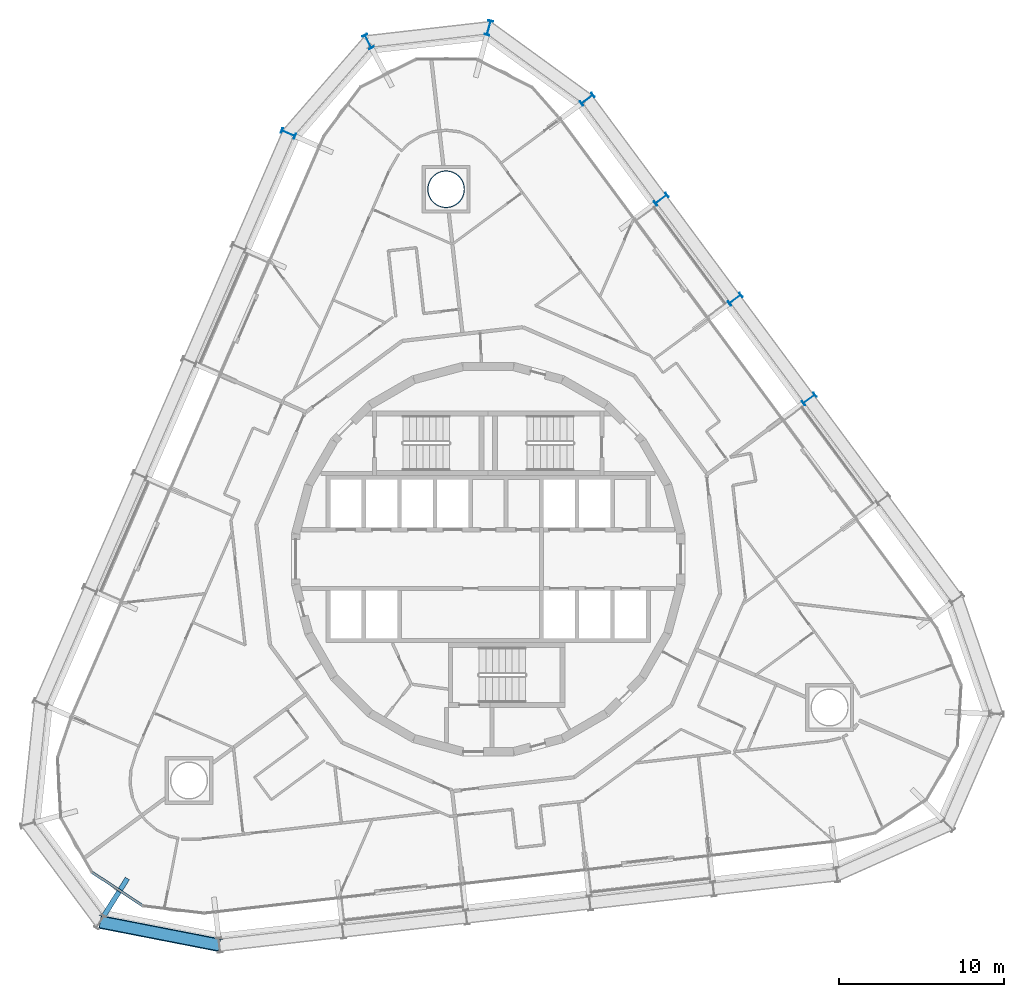
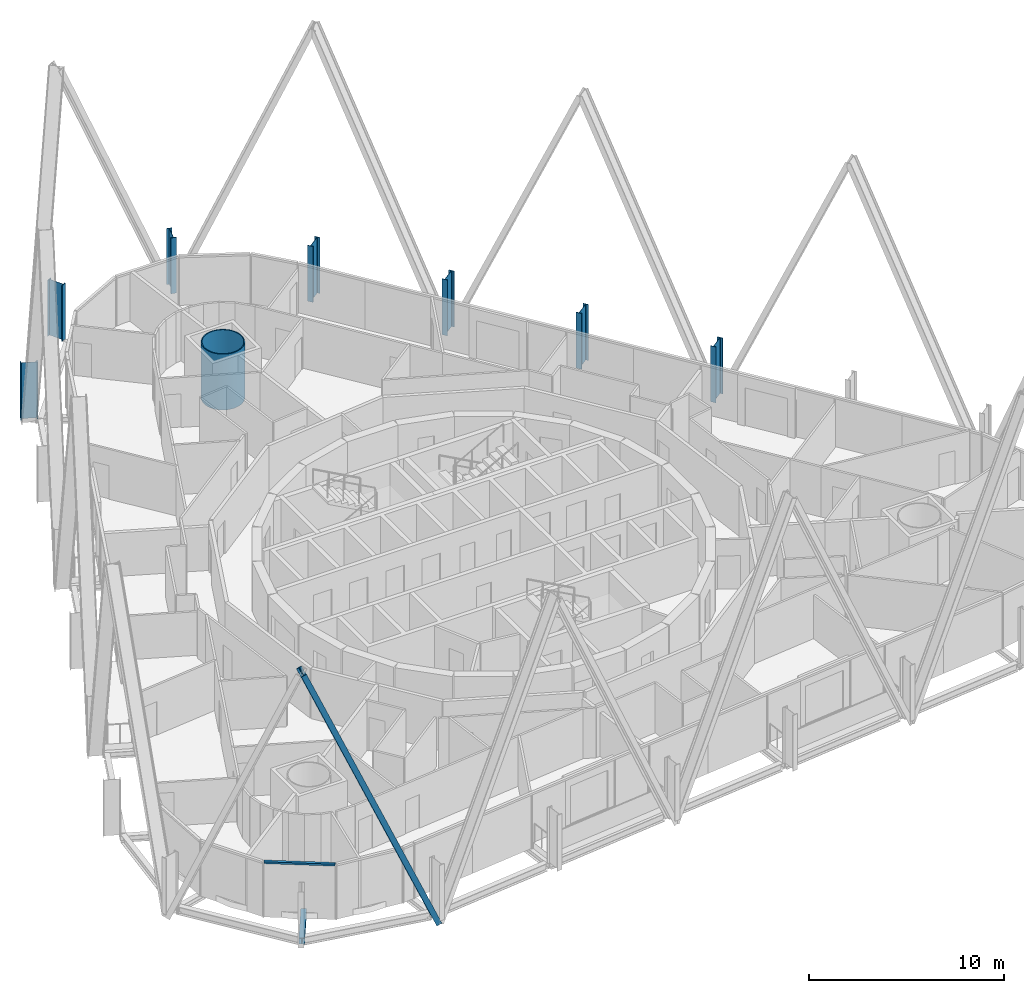
# One storey, part 2 of 23: 8 columns, 2 members, 1 beam, 1 element without a shape of its own.
"""IFC4 building model written with IfcOpenShell, lengths in metres."""

import ifcopenshell
import ifcopenshell.guid

model = None  # the IFC model being written
_history = None  # IfcOwnerHistory: only IFC2X3 demands one
_inside = {}  # id of a spatial element -> (the spatial element, [elements in it])
_under = {}  # id of a project, library or spatial element -> (it, [spatial elements below it])
_declared = {}  # id of a project -> (the project, [libraries it declares])
_typed = {}  # id of a type object -> (the type object, [elements of that type])
_made_of = {}  # id of a material, layer set ... -> (it, [elements and type objects made of it])


def new_model(schema):
    """Start an empty IFC model of exactly this schema.

    Asked for "IFC4X3", IfcOpenShell would pick the latest addendum, in which some entities
    have other attributes; the version numbers below select the first issue.
    IFC2X3 requires an IfcOwnerHistory on every rooted entity: one is made here for all.
    """
    global model, _history
    if schema == "IFC4X3":
        model = ifcopenshell.file(schema_version=(4, 3, 0, 0))
    else:
        model = ifcopenshell.file(schema=schema)
    _inside.clear()
    _under.clear()
    _declared.clear()
    _typed.clear()
    _made_of.clear()
    _history = None
    if model.schema == "IFC2X3":
        org = make("IfcOrganization", Name="unknown")
        user = make(
            "IfcPersonAndOrganization",
            ThePerson=make("IfcPerson", FamilyName="unknown"),
            TheOrganization=org,
        )
        app = make(
            "IfcApplication",
            ApplicationDeveloper=org,
            Version="unknown",
            ApplicationFullName="unknown",
            ApplicationIdentifier="unknown",
        )
        _history = make(
            "IfcOwnerHistory",
            OwningUser=user,
            OwningApplication=app,
            ChangeAction="ADDED",
            CreationDate=0,
        )
    return model


def make(cls, **values):
    """One entity of the class cls with the attributes given. An attribute that is None is left unset."""
    return model.create_entity(
        cls, **{name: value for name, value in values.items() if value is not None}
    )


def rooted(cls, **values):
    """An entity with a GlobalId (a new one), such as an element, a storey or a relation."""
    return make(cls, GlobalId=ifcopenshell.guid.new(), OwnerHistory=_history, **values)


def si_unit(unit_type, name, prefix=None):
    """IfcSIUnit, for example si_unit("LENGTHUNIT", "METRE", prefix="MILLI")."""
    return make("IfcSIUnit", UnitType=unit_type, Prefix=prefix, Name=name)


def assignment(units):
    """IfcUnitAssignment: the units of a project."""
    return None if units is None else make("IfcUnitAssignment", Units=units)


def point(xyz):
    """IfcCartesianPoint."""
    return None if xyz is None else make("IfcCartesianPoint", Coordinates=xyz)


def direction(xyz):
    """IfcDirection."""
    return None if xyz is None else make("IfcDirection", DirectionRatios=xyz)


def frame(location, z_axis=None, x_axis=None):
    """IfcAxis2Placement3D, a coordinate frame: its origin and axes. An axis left out is left unset."""
    return make(
        "IfcAxis2Placement3D",
        Location=point(location),
        Axis=direction(z_axis),
        RefDirection=direction(x_axis),
    )


def frame_2d(location, x_axis=None):
    """IfcAxis2Placement2D, a coordinate frame in the plane: its origin and x axis."""
    return make(
        "IfcAxis2Placement2D", Location=point(location), RefDirection=direction(x_axis)
    )


def origin():
    """The frame at (0, 0, 0) with its axes left unset."""
    return frame((0.0, 0.0, 0.0))


def origin_2d():
    """The frame at (0, 0) in the plane with its x axis left unset."""
    return frame_2d((0.0, 0.0))


def place(relative_to, where):
    """IfcLocalPlacement: puts the frame where relative to a parent placement (None: the world)."""
    return make(
        "IfcLocalPlacement", PlacementRelTo=relative_to, RelativePlacement=where
    )


def context(
    kind, dimensions, precision=None, world=None, true_north=None, identifier=None
):
    """IfcGeometricRepresentationContext, for example the 3D "Model" context."""
    return make(
        "IfcGeometricRepresentationContext",
        ContextIdentifier=identifier,
        ContextType=kind,
        CoordinateSpaceDimension=dimensions,
        Precision=precision,
        WorldCoordinateSystem=world,
        TrueNorth=true_north,
    )


def subcontext(parent, identifier, kind, view, scale=None):
    """IfcGeometricRepresentationSubContext, for example "Body" below "Model"."""
    return make(
        "IfcGeometricRepresentationSubContext",
        ContextIdentifier=identifier,
        ContextType=kind,
        ParentContext=parent,
        TargetScale=scale,
        TargetView=view,
    )


def project(units=None, contexts=None):
    """IfcProject with its units and contexts."""
    return rooted(
        "IfcProject",
        Name="project",
        RepresentationContexts=contexts,
        UnitsInContext=assignment(units),
    )


def spatial(cls, under=None, at=None, **own):
    """A site, building, storey or space (cls), placed at a placement, below another one or the project."""
    s = rooted(cls, ObjectPlacement=at, **own)
    if under is not None:
        _under.setdefault(under.id(), (under, []))[1].append(s)
    return s


def profile(cls, at=None, kind="AREA", **sizes):
    """A parametric profile (cls). Its sizes go by their IFC names, for example OverallWidth=200.0."""
    return make(cls, ProfileType=kind, Position=at, **sizes)


def rectangle(**sizes):
    """IfcRectangleProfileDef."""
    return profile("IfcRectangleProfileDef", **sizes)


def hollow_circle(**sizes):
    """IfcCircleHollowProfileDef."""
    return profile("IfcCircleHollowProfileDef", **sizes)


def i_section(**sizes):
    """IfcIShapeProfileDef."""
    return profile("IfcIShapeProfileDef", **sizes)


def extrude(swept, where, along, depth):
    """IfcExtrudedAreaSolid: the profile swept, set in the frame where, extruded along a direction by depth."""
    return make(
        "IfcExtrudedAreaSolid",
        SweptArea=swept,
        Position=where,
        ExtrudedDirection=direction(along),
        Depth=depth,
    )


def shape(context_of_items, identifier, shape_type, items):
    """IfcShapeRepresentation: the items that make up one representation, for example the "Body"."""
    return make(
        "IfcShapeRepresentation",
        ContextOfItems=context_of_items,
        RepresentationIdentifier=identifier,
        RepresentationType=shape_type,
        Items=items,
    )


def material(Name=None, Category=None):
    """IfcMaterial."""
    return make("IfcMaterial", Name=Name, Category=Category)


def layer(
    of_material, thickness, ventilated=None, Name=None, Category=None, Priority=None
):
    """IfcMaterialLayer: one layer of a wall or slab, of a material (None: an air gap)."""
    return make(
        "IfcMaterialLayer",
        Material=of_material,
        LayerThickness=thickness,
        IsVentilated=ventilated,
        Name=Name,
        Category=Category,
        Priority=Priority,
    )


def layer_set(layers, Name=None):
    """IfcMaterialLayerSet."""
    return make("IfcMaterialLayerSet", MaterialLayers=layers, LayerSetName=Name)


def material_profile(
    of_material, cross_section, Name=None, Category=None, Priority=None
):
    """IfcMaterialProfile: a cross section and its material."""
    return make(
        "IfcMaterialProfile",
        Name=Name,
        Material=of_material,
        Profile=cross_section,
        Priority=Priority,
        Category=Category,
    )


def profile_set(profiles, Name=None, composite=None):
    """IfcMaterialProfileSet."""
    return make(
        "IfcMaterialProfileSet",
        Name=Name,
        MaterialProfiles=profiles,
        CompositeProfile=composite,
    )


def made_of(thing, what):
    """Note that an element or type object is made of a material, layer set ...; save() writes the relation."""
    if what is not None:
        _made_of.setdefault(what.id(), (what, []))[1].append(thing)
    return thing


def type_object(cls, material=None, **own):
    """A type object (cls), such as IfcWallType, which elements share."""
    return made_of(rooted(cls, **own), material)


def element(
    cls,
    number,
    at=None,
    inside=None,
    cuts=None,
    type_object=None,
    material=None,
    context=None,
    identifier="Body",
    shape_type=None,
    held_by="IfcProductDefinitionShape",
    body=None,
    shapes=None,
    **own,
):
    """One element of the class cls, such as IfcWall. Its Tag is "e" and its number.

    at: its placement. inside: the storey or other place that contains it. cuts: it is an
    opening in that element (IfcRelVoidsElement). A single representation is given by context,
    identifier, shape_type and body (its items); several are given by shapes. held_by: the class
    of the entity that holds the representations. save() writes the other relations.
    """
    e = rooted(cls, Tag="e%d" % number, ObjectPlacement=at, **own)
    if body is not None:
        shapes = [shape(context, identifier, shape_type, body)]
    if shapes is not None:
        e.Representation = make(held_by, Representations=shapes)
    if inside is not None:
        _inside.setdefault(inside.id(), (inside, []))[1].append(e)
    if cuts is not None:
        rooted(
            "IfcRelVoidsElement", RelatingBuildingElement=cuts, RelatedOpeningElement=e
        )
    if type_object is not None:
        _typed.setdefault(type_object.id(), (type_object, []))[1].append(e)
    return made_of(e, material)


def aggregate(whole, parts):
    """IfcRelAggregates: a whole, such as a stair, and the parts it consists of."""
    return rooted("IfcRelAggregates", RelatingObject=whole, RelatedObjects=parts)


def save(model, path):
    """Write the relations noted so far, then the file.

    IfcRelAggregates (storeys below a building ...), IfcRelContainedInSpatialStructure (elements
    in a storey), IfcRelDefinesByType, IfcRelAssociatesMaterial and IfcRelDeclares: one each for
    every whole, place, type object, material and project.
    """
    for whole, parts in _under.values():
        aggregate(whole, parts)
    for where, things in _inside.values():
        rooted(
            "IfcRelContainedInSpatialStructure",
            RelatedElements=things,
            RelatingStructure=where,
        )
    for kind, things in _typed.values():
        rooted("IfcRelDefinesByType", RelatedObjects=things, RelatingType=kind)
    for what, things in _made_of.values():
        rooted("IfcRelAssociatesMaterial", RelatedObjects=things, RelatingMaterial=what)
    for by, libraries in _declared.values():
        rooted("IfcRelDeclares", RelatingContext=by, RelatedDefinitions=libraries)
    model.write(path)


model = new_model("IFC4")

# Units and contexts
model_context = context("Model", 3, precision=1e-05, world=origin(), true_north=direction((0.0, 1.0)))
body_context = subcontext(model_context, "Body", "Model", "MODEL_VIEW")
ifc_project = project(units=[si_unit("LENGTHUNIT", "METRE"), si_unit("AREAUNIT", "SQUARE_METRE"), si_unit("VOLUMEUNIT", "CUBIC_METRE"), si_unit("PLANEANGLEUNIT", "RADIAN"), si_unit("MASSUNIT", "GRAM", prefix="KILO")], contexts=[model_context])

# Site, building, storey
site_placement = place(None, origin())
site = spatial("IfcSite", under=ifc_project, at=site_placement, CompositionType="ELEMENT")
building_placement = place(site_placement, origin())
building = spatial("IfcBuilding", under=site, at=building_placement, Name="Spindle Arch Residences", CompositionType="ELEMENT")
storey_placement = place(building_placement, frame((0.0, 0.0, 90.699951171875)))
storey = spatial("IfcBuildingStorey", under=building, at=storey_placement, Name="L21", CompositionType="ELEMENT", Elevation=90.699951171875)

# Columns
ifc_material_1 = material(Name="Steel S460ML, intumescent coating R 240", Category="steel")
ifc_material_profile_1 = material_profile(ifc_material_1, i_section(OverallWidth=0.300048828125, OverallDepth=0.89990234375, WebThickness=0.0185546875, FlangeThickness=0.034912109375, FilletRadius=0.030029296875, at=origin_2d()), Name="HEB 900")
ifc_profile_set_1 = profile_set([ifc_material_profile_1], Name="Steel S460ML, intumescent coating R 240")
column_type_1 = type_object("IfcColumnType", Name="Exoskeleton post HEB 900", PredefinedType="COLUMN", material=ifc_profile_set_1)
for number, where, z_axis, x_axis, name in (
    (1, (19.404541015625, 9.681884765625, -0.3798828125), (0.0, 0.0, 1.0), (0.594822857897, -0.803856807972, 0.0), "Exoskeleton post 8"),
    (2, (14.93212890625, 15.72607421875, -0.3798828125), (0.0, 0.0, 1.0), (0.594822857897, -0.803856807972, 0.0), "Exoskeleton post 9"),
    (3, (10.459716796875, 21.77001953125, -0.3798828125), (0.0, 0.0, 1.0), (0.594822857897, -0.803856807972, 0.0), "Exoskeleton post 10"),
    (4, (5.987548828125, 27.814208984375, -0.3798828125), (0.0, 0.0, 1.0), (0.594822857897, -0.803856807972, 0.0), "Exoskeleton post 11"),
    (5, (0.035888671875, 32.134033203125, -0.3798828125), (0.0, 0.0, 1.0), (0.966704856799, -0.255893962102, 0.0), "Exoskeleton post 12"),
    (6, (-7.263427734375, 31.302490234375, -0.3798828125), (0.0, 0.0, 1.0), (0.884364605378, 0.466796791715, 0.0), "Exoskeleton post 13"),
    (7, (-12.0908203125, 25.75439453125, -0.3798828125), (0.0, 0.0, 1.0), (0.398749038162, 0.917060087761, 0.0), "Exoskeleton post 14"),
):
    element("IfcColumn", number, at=place(storey_placement, frame(where, z_axis=z_axis, x_axis=x_axis)), inside=storey, type_object=column_type_1, Name=name, PredefinedType="COLUMN", context=body_context, shape_type="SweptSolid", body=[
        extrude(i_section(OverallWidth=0.300048828125, OverallDepth=0.89990234375, WebThickness=0.0185546875, FlangeThickness=0.034912109375, FilletRadius=0.030029296875, at=origin_2d()), origin(), (0.0, 0.0, 1.0), 3.5),
    ])
ifc_material_2 = material(Name="Concrete C50/60 filled steel tube S460ML, intumescent coating R 240", Category="concrete")
ifc_material_profile_2 = material_profile(ifc_material_2, hollow_circle(Radius=1.125, WallThickness=0.054931640625, at=origin_2d()), Name="CFT D2250x55")
ifc_profile_set_2 = profile_set([ifc_material_profile_2], Name="Concrete C50/60 filled steel tube S460ML, intumescent coating R 240")
column_type_2 = type_object("IfcColumnType", Name="Mega-column CFT D2250x55", PredefinedType="COLUMN", material=ifc_profile_set_2)
column_placement = place(storey_placement, frame((-2.548828125, 22.370361328125, -0.3798828125), z_axis=(0.0, 0.0, 1.0), x_axis=(1.0, 0.0, 0.0)))
element("IfcColumn", 8, at=column_placement, inside=storey, type_object=column_type_2, Name="Mega-column 2", PredefinedType="COLUMN", context=body_context, shape_type="SweptSolid", body=[
    extrude(hollow_circle(Radius=1.125, WallThickness=0.054931640625, at=origin_2d()), origin(), (0.0, 0.0, 1.0), 3.5),
])

# Curtain wall, member
ifc_material_3 = material(Name="Aluminium bronze unitised frame with tinted glass", Category="aluminium")
ifc_layer = layer(ifc_material_3, 0.159912109375)
ifc_layer_set = layer_set([ifc_layer], Name="CW-D corner wall on the fillet arcs")
curtain_wall_type = type_object("IfcCurtainWallType", Name="CW-D corner wall on the fillet arcs", PredefinedType="NOTDEFINED", material=ifc_layer_set)
curtain_wall_placement = place(storey_placement, origin())
curtain_wall = element("IfcCurtainWall", 9, at=curtain_wall_placement, inside=storey, type_object=curtain_wall_type, Name="CW-D L21 run 5", PredefinedType="NOTDEFINED")
ifc_material_4 = material(Name="Aluminium bronze anodised transom", Category="aluminium")
ifc_material_profile_3 = material_profile(ifc_material_4, rectangle(XDim=0.159912109375, YDim=0.1201171875, at=origin_2d()), Name="TR 120x160")
ifc_profile_set_3 = profile_set([ifc_material_profile_3], Name="Aluminium bronze anodised transom")
member_type_1 = type_object("IfcMemberType", Name="Bronze transom 120x160", PredefinedType="USERDEFINED", material=ifc_profile_set_3)
member_1_placement = place(storey_placement, frame((-23.967041015625, -18.936767578125, 3.06005859375), z_axis=(0.833899758412, -0.551915929214, 0.0), x_axis=(0.551915929214, 0.833899758412, 0.0)))
member_1 = element("IfcMember", 10, at=member_1_placement, type_object=member_type_1, Name="CW-D transom 03", ObjectType="TRANSOM", PredefinedType="USERDEFINED", context=body_context, shape_type="SweptSolid", body=[
    extrude(rectangle(XDim=0.159912109375, YDim=0.1201171875, at=origin_2d()), origin(), (0.0, 0.0, 1.0), 3.666748046875),
])
aggregate(curtain_wall, [member_1])

# Member
ifc_material_5 = material(Name="Steel S460ML, intumescent coating R 240", Category="steel")
ifc_material_profile_4 = material_profile(ifc_material_5, i_section(OverallWidth=0.302978515625, OverallDepth=0.81396484375, WebThickness=0.02099609375, FlangeThickness=0.0400390625, FilletRadius=0.030029296875, at=origin_2d()), Name="HEM 800")
ifc_profile_set_4 = profile_set([ifc_material_profile_4], Name="Steel S460ML, intumescent coating R 240")
member_type_2 = type_object("IfcMemberType", Name="Diagrid diagonal HEM 800", PredefinedType="BRACE", material=ifc_profile_set_4)
member_2_placement = place(storey_placement, frame((-16.258544921875, -23.34814453125, -0.6298828125), z_axis=(-0.384507132514, 0.074932529426, 0.920075747468), x_axis=(0.903086833857, -0.17599304416, 0.391740499464)))
element("IfcMember", 11, at=member_2_placement, inside=storey, type_object=member_type_2, Name="Diagrid diagonal 2.2.21", PredefinedType="BRACE", context=body_context, shape_type="SweptSolid", body=[
    extrude(i_section(OverallWidth=0.302978515625, OverallDepth=0.81396484375, WebThickness=0.02099609375, FlangeThickness=0.0400390625, FilletRadius=0.030029296875, at=origin_2d()), origin(), (0.0, 0.0, 1.0), 18.7734375),
])

# Beam
ifc_material_6 = material(Name="Steel S460ML, intumescent coating R 120", Category="steel")
ifc_material_profile_5 = material_profile(ifc_material_6, i_section(OverallWidth=0.300048828125, OverallDepth=0.389892578125, WebThickness=0.010986328125, FlangeThickness=0.01904296875, FilletRadius=0.027099609375, at=origin_2d()), Name="HEA 400")
ifc_profile_set_5 = profile_set([ifc_material_profile_5], Name="Steel S460ML, intumescent coating R 120")
beam_type = type_object("IfcBeamType", Name="Floor outrigger HEA 400", PredefinedType="BEAM", material=ifc_profile_set_5)
beam_placement = place(storey_placement, frame((-23.2373046875, -21.560546875, -0.574951171875), z_axis=(0.532414919102, 0.846483522532, 0.0), x_axis=(-0.846483522532, 0.532414919102, 0.0)))
element("IfcBeam", 12, at=beam_placement, inside=storey, type_object=beam_type, Name="Floor outrigger 21", PredefinedType="BEAM", context=body_context, shape_type="SweptSolid", body=[
    extrude(i_section(OverallWidth=0.300048828125, OverallDepth=0.389892578125, WebThickness=0.010986328125, FlangeThickness=0.01904296875, FilletRadius=0.027099609375, at=origin_2d()), origin(), (0.0, 0.0, 1.0), 2.64990234375),
])

save(model, "model.ifc")
